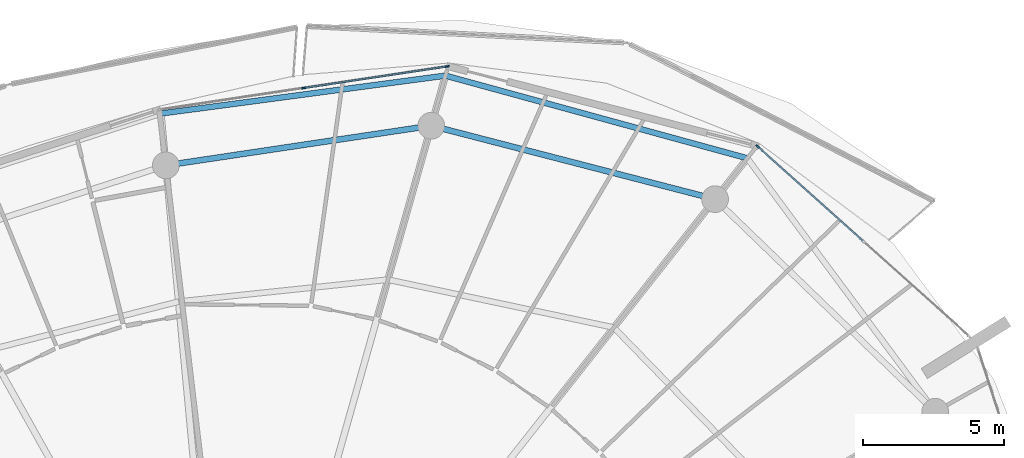
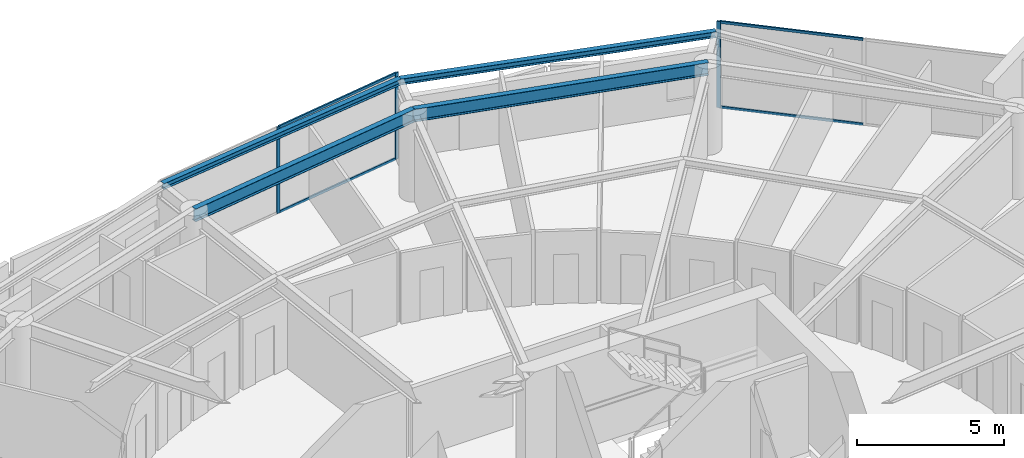
# One storey, part 17 of 31: 7 members, 4 beams, 2 elements without a shape of their own.
"""IFC4 building model written with IfcOpenShell, lengths in metres."""

from ifc_helpers import new_model, si_unit, direction, frame, origin, origin_2d, place, context, subcontext, project, spatial, rectangle, i_section, extrude, material, layer, layer_set, material_profile, profile_set, type_object, element, aggregate, save


model = new_model("IFC4")

# Units and contexts
model_context = context("Model", 3, precision=1e-05, world=origin(), true_north=direction((0.0, 1.0)))
body_context = subcontext(model_context, "Body", "Model", "MODEL_VIEW")
ifc_project = project(units=[si_unit("LENGTHUNIT", "METRE"), si_unit("AREAUNIT", "SQUARE_METRE"), si_unit("VOLUMEUNIT", "CUBIC_METRE"), si_unit("PLANEANGLEUNIT", "RADIAN"), si_unit("MASSUNIT", "GRAM", prefix="KILO")], contexts=[model_context])

# Site, building, storey
site_placement = place(None, origin())
site = spatial("IfcSite", under=ifc_project, at=site_placement, CompositionType="ELEMENT")
building_placement = place(site_placement, origin())
building = spatial("IfcBuilding", under=site, at=building_placement, Name="Kazma Halo Residences", CompositionType="ELEMENT")
storey_placement = place(building_placement, frame((0.0, 0.0, 271.35009765625)))
storey = spatial("IfcBuildingStorey", under=building, at=storey_placement, Name="L68", CompositionType="ELEMENT", Elevation=271.35009765625)

# Beams
ifc_material_1 = material(Name="Steel S355", Category="steel")
ifc_material_profile_1 = material_profile(ifc_material_1, i_section(OverallWidth=0.201904296875, OverallDepth=0.2470703125, WebThickness=0.00732421875, FlangeThickness=0.010986328125, FilletRadius=0.011962890625, at=origin_2d()), Name="W250x49.1")
ifc_profile_set_1 = profile_set([ifc_material_profile_1], Name="Steel S355")
beam_type_1 = type_object("IfcBeamType", Name="BM-BAL-CANT", PredefinedType="BEAM", material=ifc_profile_set_1)
beam_1_placement = place(storey_placement, frame((65.992431640625, 64.823486328125, 3.46630859375), z_axis=(-0.964514665976, 0.264029277006, 0.0), x_axis=(-0.264029277006, -0.964514665976, 0.0)))
element("IfcBeam", 1, at=beam_1_placement, inside=storey, type_object=beam_type_1, Name="L68 wave-balcony tie beam 02", PredefinedType="BEAM", context=body_context, shape_type="SweptSolid", body=[
    extrude(i_section(OverallWidth=0.201904296875, OverallDepth=0.2470703125, WebThickness=0.00732421875, FlangeThickness=0.010986328125, FilletRadius=0.011962890625, at=origin_2d()), origin(), (0.0, 0.0, 1.0), 11.1220703125),
])
beam_2_placement = place(storey_placement, frame((55.26513671875, 67.760009765625, 3.46630859375), z_axis=(-0.991234798397, -0.132111976922, 0.0), x_axis=(0.132111976922, -0.991234798397, 0.0)))
element("IfcBeam", 2, at=beam_2_placement, inside=storey, type_object=beam_type_1, Name="L68 wave-balcony tie beam 03", PredefinedType="BEAM", context=body_context, shape_type="SweptSolid", body=[
    extrude(i_section(OverallWidth=0.201904296875, OverallDepth=0.2470703125, WebThickness=0.00732421875, FlangeThickness=0.010986328125, FilletRadius=0.011962890625, at=origin_2d()), origin(), (0.0, 0.0, 1.0), 10.198974609375),
])
ifc_material_profile_2 = material_profile(ifc_material_1, i_section(OverallWidth=0.208984375, OverallDepth=0.532958984375, WebThickness=0.01025390625, FlangeThickness=0.015625, FilletRadius=0.01611328125, at=origin_2d()), Name="W530x92")
ifc_profile_set_2 = profile_set([ifc_material_profile_2], Name="Steel S355")
beam_type_2 = type_object("IfcBeamType", Name="BM-SPN-W530", PredefinedType="BEAM", material=ifc_profile_set_2)
beam_3_placement = place(storey_placement, frame((64.84716796875, 63.37060546875, 3.323486328125), z_axis=(-0.968126042852, 0.250463500639, 0.0), x_axis=(-0.250463500639, -0.968126042852, 0.0)))
element("IfcBeam", 3, at=beam_3_placement, inside=storey, type_object=beam_type_2, Name="L68 perimeter ring beam 02", PredefinedType="BEAM", context=body_context, shape_type="SweptSolid", body=[
    extrude(i_section(OverallWidth=0.208984375, OverallDepth=0.532958984375, WebThickness=0.01025390625, FlangeThickness=0.015625, FilletRadius=0.01611328125, at=origin_2d()), origin(), (0.0, 0.0, 1.0), 10.416259765625),
])
beam_4_placement = place(storey_placement, frame((54.762939453125, 65.9794921875, 3.323486328125), z_axis=(-0.989035441627, -0.147678350495, 0.0), x_axis=(0.147678350495, -0.989035441627, 0.0)))
element("IfcBeam", 4, at=beam_4_placement, inside=storey, type_object=beam_type_2, Name="L68 perimeter ring beam 03", PredefinedType="BEAM", context=body_context, shape_type="SweptSolid", body=[
    extrude(i_section(OverallWidth=0.208984375, OverallDepth=0.532958984375, WebThickness=0.01025390625, FlangeThickness=0.015625, FilletRadius=0.01611328125, at=origin_2d()), origin(), (0.0, 0.0, 1.0), 9.538818359375),
])

# Curtain wall, member
ifc_material_2 = material(Name="Aluminium AW-6063 T6 and Triple-Silver Low-E Glass", Category="aluminium")
ifc_layer = layer(ifc_material_2, 0.139892578125)
ifc_layer_set = layer_set([ifc_layer], Name="Aluminium AW-6063 T6 and Triple-Silver Low-E Glass")
curtain_wall_type = type_object("IfcCurtainWallType", Name="CW-SYS-5", PredefinedType="NOTDEFINED", material=ifc_layer_set)
curtain_wall_1_placement = place(storey_placement, origin())
curtain_wall_1 = element("IfcCurtainWall", 5, at=curtain_wall_1_placement, inside=storey, type_object=curtain_wall_type, Name="L68 unitised curtain wall B01", PredefinedType="NOTDEFINED")
ifc_material_3 = material(Name="Aluminium AW-6063 T6", Category="aluminium")
ifc_material_profile_3 = material_profile(ifc_material_3, rectangle(XDim=0.06005859375, YDim=0.139892578125, at=origin_2d()), Name="CWM-60x140")
ifc_profile_set_3 = profile_set([ifc_material_profile_3], Name="Aluminium AW-6063 T6")
member_type_1 = type_object("IfcMemberType", Name="CW-SYS-5-MUL", PredefinedType="MULLION", material=ifc_profile_set_3)
member_1_placement = place(storey_placement, frame((66.3603515625, 65.241455078125, 0.0), z_axis=(0.0, 0.0, 1.0), x_axis=(-0.667804826958, -0.744336424671, 0.0)))
member_1 = element("IfcMember", 6, at=member_1_placement, type_object=member_type_1, Name="CWS-5 mullion 3", PredefinedType="MULLION", context=body_context, shape_type="SweptSolid", body=[
    extrude(rectangle(XDim=0.06005859375, YDim=0.139892578125, at=origin_2d()), origin(), (0.0, 0.0, 1.0), 3.58984375),
])

# Curtain wall, members
curtain_wall_2_placement = place(storey_placement, origin())
curtain_wall_2 = element("IfcCurtainWall", 7, at=curtain_wall_2_placement, inside=storey, type_object=curtain_wall_type, Name="L68 unitised curtain wall B03", PredefinedType="NOTDEFINED")
member_2_placement = place(storey_placement, frame((55.328857421875, 68.087158203125, 0.0), z_axis=(0.0, 0.0, 1.0), x_axis=(0.148697080374, -0.988882792998, 0.0)))
member_2 = element("IfcMember", 8, at=member_2_placement, type_object=member_type_1, Name="CWS-5 mullion 1", PredefinedType="MULLION", context=body_context, shape_type="SweptSolid", body=[
    extrude(rectangle(XDim=0.06005859375, YDim=0.139892578125, at=origin_2d()), origin(), (0.0, 0.0, 1.0), 3.58984375),
])
member_3_placement = place(storey_placement, frame((50.2265625, 67.320068359375, 0.0), z_axis=(0.0, 0.0, 1.0), x_axis=(0.148697080374, -0.988882792998, 0.0)))
member_3 = element("IfcMember", 9, at=member_3_placement, type_object=member_type_1, Name="CWS-5 mullion 2", PredefinedType="MULLION", context=body_context, shape_type="SweptSolid", body=[
    extrude(rectangle(XDim=0.06005859375, YDim=0.139892578125, at=origin_2d()), origin(), (0.0, 0.0, 1.0), 3.58984375),
])

# Member
ifc_material_profile_4 = material_profile(ifc_material_3, rectangle(XDim=0.06005859375, YDim=0.10498046875, at=origin_2d()), Name="CWT-60x105")
ifc_profile_set_4 = profile_set([ifc_material_profile_4], Name="Aluminium AW-6063 T6")
member_type_2 = type_object("IfcMemberType", Name="CW-SYS-5-TRN", PredefinedType="USERDEFINED", material=ifc_profile_set_4)
member_4_placement = place(storey_placement, frame((70.099609375, 61.88671875, 0.02978515625), z_axis=(-0.744350700793, 0.667788914425, 0.0), x_axis=(-0.667788914425, -0.744350700793, 0.0)))
member_4 = element("IfcMember", 10, at=member_4_placement, type_object=member_type_2, Name="CWS-5 transom 2.1", ObjectType="TRANSOM", PredefinedType="USERDEFINED", context=body_context, shape_type="SweptSolid", body=[
    extrude(rectangle(XDim=0.06005859375, YDim=0.10498046875, at=origin_2d()), origin(), (0.0, 0.0, 1.0), 4.99365234375),
])

member_5_placement = place(storey_placement, frame((70.099609375, 61.88671875, 3.559814453125), z_axis=(-0.744350700793, 0.667788914425, 0.0), x_axis=(-0.667788914425, -0.744350700793, 0.0)))
member_5 = element("IfcMember", 11, at=member_5_placement, type_object=member_type_2, Name="CWS-5 transom 2.2", ObjectType="TRANSOM", PredefinedType="USERDEFINED", context=body_context, shape_type="SweptSolid", body=[
    extrude(rectangle(XDim=0.06005859375, YDim=0.10498046875, at=origin_2d()), origin(), (0.0, 0.0, 1.0), 4.99365234375),
])

aggregate(curtain_wall_1, [member_1, member_4, member_5])

member_6_placement = place(storey_placement, frame((55.29931640625, 68.082763671875, 0.02978515625), z_axis=(-0.988883972013, -0.148689239341, 0.0), x_axis=(0.148689239341, -0.988883972013, 0.0)))
member_6 = element("IfcMember", 12, at=member_6_placement, type_object=member_type_2, Name="CWS-5 transom 1.1", ObjectType="TRANSOM", PredefinedType="USERDEFINED", context=body_context, shape_type="SweptSolid", body=[
    extrude(rectangle(XDim=0.06005859375, YDim=0.10498046875, at=origin_2d()), origin(), (0.0, 0.0, 1.0), 5.099853515625),
])

member_7_placement = place(storey_placement, frame((55.29931640625, 68.082763671875, 3.559814453125), z_axis=(-0.988883972013, -0.148689239341, 0.0), x_axis=(0.148689239341, -0.988883972013, 0.0)))
member_7 = element("IfcMember", 13, at=member_7_placement, type_object=member_type_2, Name="CWS-5 transom 1.2", ObjectType="TRANSOM", PredefinedType="USERDEFINED", context=body_context, shape_type="SweptSolid", body=[
    extrude(rectangle(XDim=0.06005859375, YDim=0.10498046875, at=origin_2d()), origin(), (0.0, 0.0, 1.0), 5.099853515625),
])

aggregate(curtain_wall_2, [member_2, member_3, member_6, member_7])

save(model, "model.ifc")
